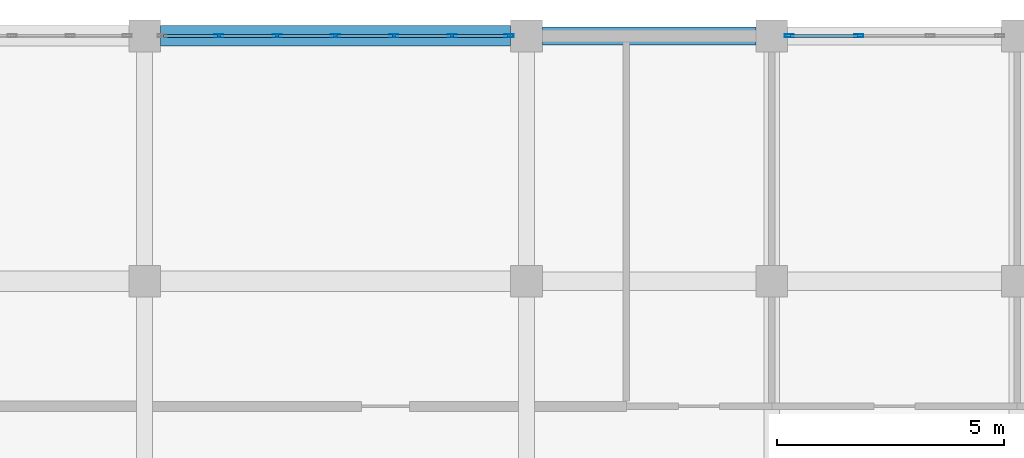
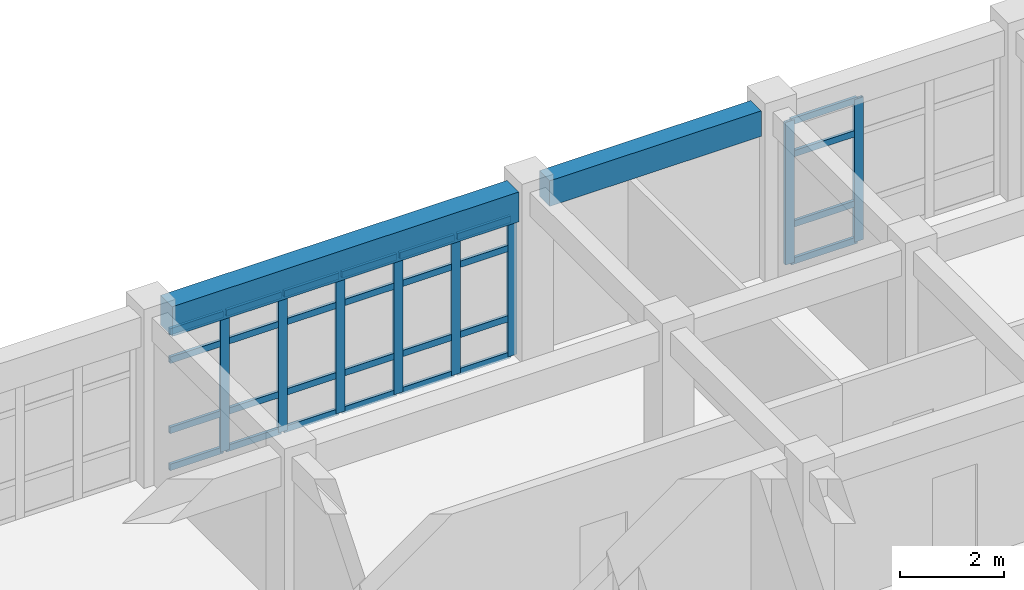
# One storey, part 14 of 22: 36 members, 2 beams, 2 elements without a shape of their own.
"""IFC4 building model written with IfcOpenShell, lengths in metres."""

from ifc_helpers import new_model, si_unit, direction, frame, origin, origin_2d, place, context, subcontext, project, spatial, rectangle, hollow_rectangle, extrude, material, layer, layer_set, material_profile, profile_set, type_object, element, aggregate, save


model = new_model("IFC4")

# Units and contexts
model_context = context("Model", 3, precision=1e-05, world=origin(), true_north=direction((0.0, 1.0)))
body_context = subcontext(model_context, "Body", "Model", "MODEL_VIEW")
ifc_project = project(units=[si_unit("LENGTHUNIT", "METRE"), si_unit("AREAUNIT", "SQUARE_METRE"), si_unit("VOLUMEUNIT", "CUBIC_METRE"), si_unit("PLANEANGLEUNIT", "RADIAN"), si_unit("MASSUNIT", "GRAM", prefix="KILO")], contexts=[model_context])

# Site, building, storey
site_placement = place(None, origin())
site = spatial("IfcSite", under=ifc_project, at=site_placement, CompositionType="ELEMENT")
building_placement = place(site_placement, origin())
building = spatial("IfcBuilding", under=site, at=building_placement, Name="Krzemoval Escarpment Law Courts", CompositionType="ELEMENT")
storey_placement = place(building_placement, frame((0.0, 0.0, 29.39990234375)))
storey = spatial("IfcBuildingStorey", under=building, at=storey_placement, Name="L06", CompositionType="ELEMENT", Elevation=29.39990234375)

# Beams
ifc_material_1 = material(Name="Concrete C40/50", Category="concrete")
ifc_material_profile_1 = material_profile(ifc_material_1, rectangle(XDim=0.39990234375, YDim=0.60009765625, at=origin_2d()), Name="RCB 400x600")
ifc_profile_set_1 = profile_set([ifc_material_profile_1], Name="Concrete C40/50")
beam_type_1 = type_object("IfcBeamType", Name="BM-RC-400x600", PredefinedType="BEAM", material=ifc_profile_set_1)
beam_1_placement = place(storey_placement, frame((151.550048828125, 118.800048828125, 3.650146484375), z_axis=(1.0, 0.0, 0.0), x_axis=(0.0, 1.0, 0.0)))
element("IfcBeam", 1, at=beam_1_placement, inside=storey, type_object=beam_type_1, Name="Beam FG-L06-2657", PredefinedType="BEAM", context=body_context, shape_type="SweptSolid", body=[
    extrude(rectangle(XDim=0.39990234375, YDim=0.60009765625, at=origin_2d()), origin(), (0.0, 0.0, 1.0), 4.699951171875),
])
ifc_material_2 = material(Name="Concrete C40/50", Category="concrete")
ifc_material_profile_2 = material_profile(ifc_material_2, rectangle(XDim=0.449951171875, YDim=0.699951171875, at=origin_2d()), Name="RCB 450x700")
ifc_profile_set_2 = profile_set([ifc_material_profile_2], Name="Concrete C40/50")
beam_type_2 = type_object("IfcBeamType", Name="BM-RC-450x700", PredefinedType="BEAM", material=ifc_profile_set_2)
beam_2_placement = place(storey_placement, frame((143.14990234375, 118.800048828125, 3.60009765625), z_axis=(1.0, 0.0, 0.0), x_axis=(0.0, 1.0, 0.0)))
element("IfcBeam", 2, at=beam_2_placement, inside=storey, type_object=beam_type_2, Name="Beam FG-L06-2656", PredefinedType="BEAM", context=body_context, shape_type="SweptSolid", body=[
    extrude(rectangle(XDim=0.449951171875, YDim=0.699951171875, at=origin_2d()), origin(), (0.0, 0.0, 1.0), 7.7001953125),
])

# Curtain wall, members
ifc_material_3 = material(Name="Aluminium 6063-T6", Category="aluminium")
ifc_layer = layer(ifc_material_3, 0.219970703125)
ifc_layer_set = layer_set([ifc_layer], Name="Aluminium 6063-T6")
curtain_wall_type = type_object("IfcCurtainWallType", Name="CW-CHMB-4200", PredefinedType="USERDEFINED", material=ifc_layer_set)
curtain_wall_1_placement = place(storey_placement, origin())
curtain_wall_1 = element("IfcCurtainWall", 3, at=curtain_wall_1_placement, inside=storey, type_object=curtain_wall_type, Name="Unitised Curtain Wall FCW-L06-150", ObjectType="UNITISED_CURTAIN_WALL", PredefinedType="USERDEFINED")
ifc_material_4 = material(Name="Aluminium 6063-T6", Category="aluminium")
ifc_material_profile_3 = material_profile(ifc_material_4, hollow_rectangle(XDim=0.06494140625, YDim=0.199951171875, WallThickness=0.00439453125, at=origin_2d()), Name="ALU M65x200")
ifc_profile_set_3 = profile_set([ifc_material_profile_3], Name="Aluminium 6063-T6")
member_type_1 = type_object("IfcMemberType", Name="CWM-65x200", PredefinedType="MULLION", material=ifc_profile_set_3)
member_1_placement = place(storey_placement, frame((144.433349609375, 118.800048828125, 0.0), z_axis=(0.0, 0.0, 1.0), x_axis=(0.0, 1.0, 0.0)))
member_1 = element("IfcMember", 4, at=member_1_placement, type_object=member_type_1, Name="FCW-L06-150 mullion 2", PredefinedType="MULLION", context=body_context, shape_type="SweptSolid", body=[
    extrude(hollow_rectangle(XDim=0.06494140625, YDim=0.199951171875, WallThickness=0.00439453125, at=origin_2d()), origin(), (0.0, 0.0, 1.0), 3.25),
])
member_2_placement = place(storey_placement, frame((145.716552734375, 118.800048828125, 0.0), z_axis=(0.0, 0.0, 1.0), x_axis=(0.0, 1.0, 0.0)))
member_2 = element("IfcMember", 5, at=member_2_placement, type_object=member_type_1, Name="FCW-L06-150 mullion 3", PredefinedType="MULLION", context=body_context, shape_type="SweptSolid", body=[
    extrude(hollow_rectangle(XDim=0.06494140625, YDim=0.199951171875, WallThickness=0.00439453125, at=origin_2d()), origin(), (0.0, 0.0, 1.0), 3.25),
])
member_3_placement = place(storey_placement, frame((147.0, 118.800048828125, 0.0), z_axis=(0.0, 0.0, 1.0), x_axis=(0.0, 1.0, 0.0)))
member_3 = element("IfcMember", 6, at=member_3_placement, type_object=member_type_1, Name="FCW-L06-150 mullion 4", PredefinedType="MULLION", context=body_context, shape_type="SweptSolid", body=[
    extrude(hollow_rectangle(XDim=0.06494140625, YDim=0.199951171875, WallThickness=0.00439453125, at=origin_2d()), origin(), (0.0, 0.0, 1.0), 3.25),
])
member_4_placement = place(storey_placement, frame((148.283447265625, 118.800048828125, 0.0), z_axis=(0.0, 0.0, 1.0), x_axis=(0.0, 1.0, 0.0)))
member_4 = element("IfcMember", 7, at=member_4_placement, type_object=member_type_1, Name="FCW-L06-150 mullion 5", PredefinedType="MULLION", context=body_context, shape_type="SweptSolid", body=[
    extrude(hollow_rectangle(XDim=0.06494140625, YDim=0.199951171875, WallThickness=0.00439453125, at=origin_2d()), origin(), (0.0, 0.0, 1.0), 3.25),
])
member_5_placement = place(storey_placement, frame((149.566650390625, 118.800048828125, 0.0), z_axis=(0.0, 0.0, 1.0), x_axis=(0.0, 1.0, 0.0)))
member_5 = element("IfcMember", 8, at=member_5_placement, type_object=member_type_1, Name="FCW-L06-150 mullion 6", PredefinedType="MULLION", context=body_context, shape_type="SweptSolid", body=[
    extrude(hollow_rectangle(XDim=0.06494140625, YDim=0.199951171875, WallThickness=0.00439453125, at=origin_2d()), origin(), (0.0, 0.0, 1.0), 3.25),
])
member_6_placement = place(storey_placement, frame((150.8173828125, 118.800048828125, 0.0), z_axis=(0.0, 0.0, 1.0), x_axis=(0.0, 1.0, 0.0)))
member_6 = element("IfcMember", 9, at=member_6_placement, type_object=member_type_1, Name="FCW-L06-150 mullion 7", PredefinedType="MULLION", context=body_context, shape_type="SweptSolid", body=[
    extrude(hollow_rectangle(XDim=0.06494140625, YDim=0.199951171875, WallThickness=0.00439453125, at=origin_2d()), origin(), (0.0, 0.0, 1.0), 3.25),
])

curtain_wall_2_placement = place(storey_placement, origin())
curtain_wall_2 = element("IfcCurtainWall", 10, at=curtain_wall_2_placement, inside=storey, type_object=curtain_wall_type, Name="Unitised Curtain Wall FCW-L06-151", ObjectType="UNITISED_CURTAIN_WALL", PredefinedType="USERDEFINED")
member_7_placement = place(storey_placement, frame((156.982421875, 118.800048828125, 0.0), z_axis=(0.0, 0.0, 1.0), x_axis=(0.0, 1.0, 0.0)))
member_7 = element("IfcMember", 11, at=member_7_placement, type_object=member_type_1, Name="FCW-L06-151 mullion 1", PredefinedType="MULLION", context=body_context, shape_type="SweptSolid", body=[
    extrude(hollow_rectangle(XDim=0.06494140625, YDim=0.199951171875, WallThickness=0.00439453125, at=origin_2d()), origin(), (0.0, 0.0, 1.0), 3.35009765625),
])
member_8_placement = place(storey_placement, frame((158.5166015625, 118.800048828125, 0.0), z_axis=(0.0, 0.0, 1.0), x_axis=(0.0, 1.0, 0.0)))
member_8 = element("IfcMember", 12, at=member_8_placement, type_object=member_type_1, Name="FCW-L06-151 mullion 2", PredefinedType="MULLION", context=body_context, shape_type="SweptSolid", body=[
    extrude(hollow_rectangle(XDim=0.06494140625, YDim=0.199951171875, WallThickness=0.00439453125, at=origin_2d()), origin(), (0.0, 0.0, 1.0), 3.35009765625),
])

# Member
ifc_material_5 = material(Name="Aluminium 6063-T6", Category="aluminium")
ifc_material_profile_4 = material_profile(ifc_material_5, hollow_rectangle(XDim=0.06494140625, YDim=0.14990234375, WallThickness=0.00439453125, at=origin_2d()), Name="ALU T65x150")
ifc_profile_set_4 = profile_set([ifc_material_profile_4], Name="Aluminium 6063-T6")
member_type_2 = type_object("IfcMemberType", Name="CWT-65x150", PredefinedType="USERDEFINED", material=ifc_profile_set_4)
member_9_placement = place(storey_placement, frame((143.215087890625, 118.800048828125, 0.03271484375), z_axis=(1.0, 0.0, 0.0), x_axis=(0.0, 1.0, 0.0)))
member_9 = element("IfcMember", 13, at=member_9_placement, type_object=member_type_2, Name="FCW-L06-150 transom 1.1", ObjectType="TRANSOM", PredefinedType="USERDEFINED", context=body_context, shape_type="SweptSolid", body=[
    extrude(hollow_rectangle(XDim=0.06494140625, YDim=0.14990234375, WallThickness=0.00439453125, at=origin_2d()), origin(), (0.0, 0.0, 1.0), 1.185791015625),
])

member_10_placement = place(storey_placement, frame((143.215087890625, 118.800048828125, 0.900146484375), z_axis=(1.0, 0.0, 0.0), x_axis=(0.0, 1.0, 0.0)))
member_10 = element("IfcMember", 14, at=member_10_placement, type_object=member_type_2, Name="FCW-L06-150 transom 1.2", ObjectType="TRANSOM", PredefinedType="USERDEFINED", context=body_context, shape_type="SweptSolid", body=[
    extrude(hollow_rectangle(XDim=0.06494140625, YDim=0.14990234375, WallThickness=0.00439453125, at=origin_2d()), origin(), (0.0, 0.0, 1.0), 1.185791015625),
])

member_11_placement = place(storey_placement, frame((143.215087890625, 118.800048828125, 2.550048828125), z_axis=(1.0, 0.0, 0.0), x_axis=(0.0, 1.0, 0.0)))
member_11 = element("IfcMember", 15, at=member_11_placement, type_object=member_type_2, Name="FCW-L06-150 transom 1.3", ObjectType="TRANSOM", PredefinedType="USERDEFINED", context=body_context, shape_type="SweptSolid", body=[
    extrude(hollow_rectangle(XDim=0.06494140625, YDim=0.14990234375, WallThickness=0.00439453125, at=origin_2d()), origin(), (0.0, 0.0, 1.0), 1.185791015625),
])

member_12_placement = place(storey_placement, frame((143.215087890625, 118.800048828125, 3.217529296875), z_axis=(1.0, 0.0, 0.0), x_axis=(0.0, 1.0, 0.0)))
member_12 = element("IfcMember", 16, at=member_12_placement, type_object=member_type_2, Name="FCW-L06-150 transom 1.4", ObjectType="TRANSOM", PredefinedType="USERDEFINED", context=body_context, shape_type="SweptSolid", body=[
    extrude(hollow_rectangle(XDim=0.06494140625, YDim=0.14990234375, WallThickness=0.00439453125, at=origin_2d()), origin(), (0.0, 0.0, 1.0), 1.185791015625),
])

member_13_placement = place(storey_placement, frame((144.4658203125, 118.800048828125, 0.03271484375), z_axis=(1.0, 0.0, 0.0), x_axis=(0.0, 1.0, 0.0)))
member_13 = element("IfcMember", 17, at=member_13_placement, type_object=member_type_2, Name="FCW-L06-150 transom 2.1", ObjectType="TRANSOM", PredefinedType="USERDEFINED", context=body_context, shape_type="SweptSolid", body=[
    extrude(hollow_rectangle(XDim=0.06494140625, YDim=0.14990234375, WallThickness=0.00439453125, at=origin_2d()), origin(), (0.0, 0.0, 1.0), 1.21826171875),
])

member_14_placement = place(storey_placement, frame((144.4658203125, 118.800048828125, 0.900146484375), z_axis=(1.0, 0.0, 0.0), x_axis=(0.0, 1.0, 0.0)))
member_14 = element("IfcMember", 18, at=member_14_placement, type_object=member_type_2, Name="FCW-L06-150 transom 2.2", ObjectType="TRANSOM", PredefinedType="USERDEFINED", context=body_context, shape_type="SweptSolid", body=[
    extrude(hollow_rectangle(XDim=0.06494140625, YDim=0.14990234375, WallThickness=0.00439453125, at=origin_2d()), origin(), (0.0, 0.0, 1.0), 1.21826171875),
])

member_15_placement = place(storey_placement, frame((144.4658203125, 118.800048828125, 2.550048828125), z_axis=(1.0, 0.0, 0.0), x_axis=(0.0, 1.0, 0.0)))
member_15 = element("IfcMember", 19, at=member_15_placement, type_object=member_type_2, Name="FCW-L06-150 transom 2.3", ObjectType="TRANSOM", PredefinedType="USERDEFINED", context=body_context, shape_type="SweptSolid", body=[
    extrude(hollow_rectangle(XDim=0.06494140625, YDim=0.14990234375, WallThickness=0.00439453125, at=origin_2d()), origin(), (0.0, 0.0, 1.0), 1.21826171875),
])

member_16_placement = place(storey_placement, frame((144.4658203125, 118.800048828125, 3.217529296875), z_axis=(1.0, 0.0, 0.0), x_axis=(0.0, 1.0, 0.0)))
member_16 = element("IfcMember", 20, at=member_16_placement, type_object=member_type_2, Name="FCW-L06-150 transom 2.4", ObjectType="TRANSOM", PredefinedType="USERDEFINED", context=body_context, shape_type="SweptSolid", body=[
    extrude(hollow_rectangle(XDim=0.06494140625, YDim=0.14990234375, WallThickness=0.00439453125, at=origin_2d()), origin(), (0.0, 0.0, 1.0), 1.21826171875),
])

member_17_placement = place(storey_placement, frame((145.749267578125, 118.800048828125, 0.03271484375), z_axis=(1.0, 0.0, 0.0), x_axis=(0.0, 1.0, 0.0)))
member_17 = element("IfcMember", 21, at=member_17_placement, type_object=member_type_2, Name="FCW-L06-150 transom 3.1", ObjectType="TRANSOM", PredefinedType="USERDEFINED", context=body_context, shape_type="SweptSolid", body=[
    extrude(hollow_rectangle(XDim=0.06494140625, YDim=0.14990234375, WallThickness=0.00439453125, at=origin_2d()), origin(), (0.0, 0.0, 1.0), 1.21826171875),
])

member_18_placement = place(storey_placement, frame((145.749267578125, 118.800048828125, 0.900146484375), z_axis=(1.0, 0.0, 0.0), x_axis=(0.0, 1.0, 0.0)))
member_18 = element("IfcMember", 22, at=member_18_placement, type_object=member_type_2, Name="FCW-L06-150 transom 3.2", ObjectType="TRANSOM", PredefinedType="USERDEFINED", context=body_context, shape_type="SweptSolid", body=[
    extrude(hollow_rectangle(XDim=0.06494140625, YDim=0.14990234375, WallThickness=0.00439453125, at=origin_2d()), origin(), (0.0, 0.0, 1.0), 1.21826171875),
])

member_19_placement = place(storey_placement, frame((145.749267578125, 118.800048828125, 2.550048828125), z_axis=(1.0, 0.0, 0.0), x_axis=(0.0, 1.0, 0.0)))
member_19 = element("IfcMember", 23, at=member_19_placement, type_object=member_type_2, Name="FCW-L06-150 transom 3.3", ObjectType="TRANSOM", PredefinedType="USERDEFINED", context=body_context, shape_type="SweptSolid", body=[
    extrude(hollow_rectangle(XDim=0.06494140625, YDim=0.14990234375, WallThickness=0.00439453125, at=origin_2d()), origin(), (0.0, 0.0, 1.0), 1.21826171875),
])

member_20_placement = place(storey_placement, frame((145.749267578125, 118.800048828125, 3.217529296875), z_axis=(1.0, 0.0, 0.0), x_axis=(0.0, 1.0, 0.0)))
member_20 = element("IfcMember", 24, at=member_20_placement, type_object=member_type_2, Name="FCW-L06-150 transom 3.4", ObjectType="TRANSOM", PredefinedType="USERDEFINED", context=body_context, shape_type="SweptSolid", body=[
    extrude(hollow_rectangle(XDim=0.06494140625, YDim=0.14990234375, WallThickness=0.00439453125, at=origin_2d()), origin(), (0.0, 0.0, 1.0), 1.21826171875),
])

member_21_placement = place(storey_placement, frame((147.032470703125, 118.800048828125, 0.03271484375), z_axis=(1.0, 0.0, 0.0), x_axis=(0.0, 1.0, 0.0)))
member_21 = element("IfcMember", 25, at=member_21_placement, type_object=member_type_2, Name="FCW-L06-150 transom 4.1", ObjectType="TRANSOM", PredefinedType="USERDEFINED", context=body_context, shape_type="SweptSolid", body=[
    extrude(hollow_rectangle(XDim=0.06494140625, YDim=0.14990234375, WallThickness=0.00439453125, at=origin_2d()), origin(), (0.0, 0.0, 1.0), 1.21826171875),
])

member_22_placement = place(storey_placement, frame((147.032470703125, 118.800048828125, 0.900146484375), z_axis=(1.0, 0.0, 0.0), x_axis=(0.0, 1.0, 0.0)))
member_22 = element("IfcMember", 26, at=member_22_placement, type_object=member_type_2, Name="FCW-L06-150 transom 4.2", ObjectType="TRANSOM", PredefinedType="USERDEFINED", context=body_context, shape_type="SweptSolid", body=[
    extrude(hollow_rectangle(XDim=0.06494140625, YDim=0.14990234375, WallThickness=0.00439453125, at=origin_2d()), origin(), (0.0, 0.0, 1.0), 1.21826171875),
])

member_23_placement = place(storey_placement, frame((147.032470703125, 118.800048828125, 2.550048828125), z_axis=(1.0, 0.0, 0.0), x_axis=(0.0, 1.0, 0.0)))
member_23 = element("IfcMember", 27, at=member_23_placement, type_object=member_type_2, Name="FCW-L06-150 transom 4.3", ObjectType="TRANSOM", PredefinedType="USERDEFINED", context=body_context, shape_type="SweptSolid", body=[
    extrude(hollow_rectangle(XDim=0.06494140625, YDim=0.14990234375, WallThickness=0.00439453125, at=origin_2d()), origin(), (0.0, 0.0, 1.0), 1.21826171875),
])

member_24_placement = place(storey_placement, frame((147.032470703125, 118.800048828125, 3.217529296875), z_axis=(1.0, 0.0, 0.0), x_axis=(0.0, 1.0, 0.0)))
member_24 = element("IfcMember", 28, at=member_24_placement, type_object=member_type_2, Name="FCW-L06-150 transom 4.4", ObjectType="TRANSOM", PredefinedType="USERDEFINED", context=body_context, shape_type="SweptSolid", body=[
    extrude(hollow_rectangle(XDim=0.06494140625, YDim=0.14990234375, WallThickness=0.00439453125, at=origin_2d()), origin(), (0.0, 0.0, 1.0), 1.21826171875),
])

member_25_placement = place(storey_placement, frame((148.31591796875, 118.800048828125, 0.03271484375), z_axis=(1.0, 0.0, 0.0), x_axis=(0.0, 1.0, 0.0)))
member_25 = element("IfcMember", 29, at=member_25_placement, type_object=member_type_2, Name="FCW-L06-150 transom 5.1", ObjectType="TRANSOM", PredefinedType="USERDEFINED", context=body_context, shape_type="SweptSolid", body=[
    extrude(hollow_rectangle(XDim=0.06494140625, YDim=0.14990234375, WallThickness=0.00439453125, at=origin_2d()), origin(), (0.0, 0.0, 1.0), 1.21826171875),
])

member_26_placement = place(storey_placement, frame((148.31591796875, 118.800048828125, 0.900146484375), z_axis=(1.0, 0.0, 0.0), x_axis=(0.0, 1.0, 0.0)))
member_26 = element("IfcMember", 30, at=member_26_placement, type_object=member_type_2, Name="FCW-L06-150 transom 5.2", ObjectType="TRANSOM", PredefinedType="USERDEFINED", context=body_context, shape_type="SweptSolid", body=[
    extrude(hollow_rectangle(XDim=0.06494140625, YDim=0.14990234375, WallThickness=0.00439453125, at=origin_2d()), origin(), (0.0, 0.0, 1.0), 1.21826171875),
])

member_27_placement = place(storey_placement, frame((148.31591796875, 118.800048828125, 2.550048828125), z_axis=(1.0, 0.0, 0.0), x_axis=(0.0, 1.0, 0.0)))
member_27 = element("IfcMember", 31, at=member_27_placement, type_object=member_type_2, Name="FCW-L06-150 transom 5.3", ObjectType="TRANSOM", PredefinedType="USERDEFINED", context=body_context, shape_type="SweptSolid", body=[
    extrude(hollow_rectangle(XDim=0.06494140625, YDim=0.14990234375, WallThickness=0.00439453125, at=origin_2d()), origin(), (0.0, 0.0, 1.0), 1.21826171875),
])

member_28_placement = place(storey_placement, frame((148.31591796875, 118.800048828125, 3.217529296875), z_axis=(1.0, 0.0, 0.0), x_axis=(0.0, 1.0, 0.0)))
member_28 = element("IfcMember", 32, at=member_28_placement, type_object=member_type_2, Name="FCW-L06-150 transom 5.4", ObjectType="TRANSOM", PredefinedType="USERDEFINED", context=body_context, shape_type="SweptSolid", body=[
    extrude(hollow_rectangle(XDim=0.06494140625, YDim=0.14990234375, WallThickness=0.00439453125, at=origin_2d()), origin(), (0.0, 0.0, 1.0), 1.21826171875),
])

member_29_placement = place(storey_placement, frame((149.59912109375, 118.800048828125, 0.03271484375), z_axis=(1.0, 0.0, 0.0), x_axis=(0.0, 1.0, 0.0)))
member_29 = element("IfcMember", 33, at=member_29_placement, type_object=member_type_2, Name="FCW-L06-150 transom 6.1", ObjectType="TRANSOM", PredefinedType="USERDEFINED", context=body_context, shape_type="SweptSolid", body=[
    extrude(hollow_rectangle(XDim=0.06494140625, YDim=0.14990234375, WallThickness=0.00439453125, at=origin_2d()), origin(), (0.0, 0.0, 1.0), 1.185791015625),
])

member_30_placement = place(storey_placement, frame((149.59912109375, 118.800048828125, 0.900146484375), z_axis=(1.0, 0.0, 0.0), x_axis=(0.0, 1.0, 0.0)))
member_30 = element("IfcMember", 34, at=member_30_placement, type_object=member_type_2, Name="FCW-L06-150 transom 6.2", ObjectType="TRANSOM", PredefinedType="USERDEFINED", context=body_context, shape_type="SweptSolid", body=[
    extrude(hollow_rectangle(XDim=0.06494140625, YDim=0.14990234375, WallThickness=0.00439453125, at=origin_2d()), origin(), (0.0, 0.0, 1.0), 1.185791015625),
])

member_31_placement = place(storey_placement, frame((149.59912109375, 118.800048828125, 2.550048828125), z_axis=(1.0, 0.0, 0.0), x_axis=(0.0, 1.0, 0.0)))
member_31 = element("IfcMember", 35, at=member_31_placement, type_object=member_type_2, Name="FCW-L06-150 transom 6.3", ObjectType="TRANSOM", PredefinedType="USERDEFINED", context=body_context, shape_type="SweptSolid", body=[
    extrude(hollow_rectangle(XDim=0.06494140625, YDim=0.14990234375, WallThickness=0.00439453125, at=origin_2d()), origin(), (0.0, 0.0, 1.0), 1.185791015625),
])

member_32_placement = place(storey_placement, frame((149.59912109375, 118.800048828125, 3.217529296875), z_axis=(1.0, 0.0, 0.0), x_axis=(0.0, 1.0, 0.0)))
member_32 = element("IfcMember", 36, at=member_32_placement, type_object=member_type_2, Name="FCW-L06-150 transom 6.4", ObjectType="TRANSOM", PredefinedType="USERDEFINED", context=body_context, shape_type="SweptSolid", body=[
    extrude(hollow_rectangle(XDim=0.06494140625, YDim=0.14990234375, WallThickness=0.00439453125, at=origin_2d()), origin(), (0.0, 0.0, 1.0), 1.185791015625),
])

aggregate(curtain_wall_1, [member_1, member_2, member_3, member_4, member_5, member_6, member_9, member_10, member_11, member_12, member_13, member_14, member_15, member_16, member_17, member_18, member_19, member_20, member_21, member_22, member_23, member_24, member_25, member_26, member_27, member_28, member_29, member_30, member_31, member_32])

member_33_placement = place(storey_placement, frame((157.014892578125, 118.800048828125, 0.03271484375), z_axis=(1.0, 0.0, 0.0), x_axis=(0.0, 1.0, 0.0)))
member_33 = element("IfcMember", 37, at=member_33_placement, type_object=member_type_2, Name="FCW-L06-151 transom 1.1", ObjectType="TRANSOM", PredefinedType="USERDEFINED", context=body_context, shape_type="SweptSolid", body=[
    extrude(hollow_rectangle(XDim=0.06494140625, YDim=0.14990234375, WallThickness=0.00439453125, at=origin_2d()), origin(), (0.0, 0.0, 1.0), 1.46923828125),
])

member_34_placement = place(storey_placement, frame((157.014892578125, 118.800048828125, 0.900146484375), z_axis=(1.0, 0.0, 0.0), x_axis=(0.0, 1.0, 0.0)))
member_34 = element("IfcMember", 38, at=member_34_placement, type_object=member_type_2, Name="FCW-L06-151 transom 1.2", ObjectType="TRANSOM", PredefinedType="USERDEFINED", context=body_context, shape_type="SweptSolid", body=[
    extrude(hollow_rectangle(XDim=0.06494140625, YDim=0.14990234375, WallThickness=0.00439453125, at=origin_2d()), origin(), (0.0, 0.0, 1.0), 1.46923828125),
])

member_35_placement = place(storey_placement, frame((157.014892578125, 118.800048828125, 2.550048828125), z_axis=(1.0, 0.0, 0.0), x_axis=(0.0, 1.0, 0.0)))
member_35 = element("IfcMember", 39, at=member_35_placement, type_object=member_type_2, Name="FCW-L06-151 transom 1.3", ObjectType="TRANSOM", PredefinedType="USERDEFINED", context=body_context, shape_type="SweptSolid", body=[
    extrude(hollow_rectangle(XDim=0.06494140625, YDim=0.14990234375, WallThickness=0.00439453125, at=origin_2d()), origin(), (0.0, 0.0, 1.0), 1.46923828125),
])

member_36_placement = place(storey_placement, frame((157.014892578125, 118.800048828125, 3.317626953125), z_axis=(1.0, 0.0, 0.0), x_axis=(0.0, 1.0, 0.0)))
member_36 = element("IfcMember", 40, at=member_36_placement, type_object=member_type_2, Name="FCW-L06-151 transom 1.4", ObjectType="TRANSOM", PredefinedType="USERDEFINED", context=body_context, shape_type="SweptSolid", body=[
    extrude(hollow_rectangle(XDim=0.06494140625, YDim=0.14990234375, WallThickness=0.00439453125, at=origin_2d()), origin(), (0.0, 0.0, 1.0), 1.46923828125),
])

aggregate(curtain_wall_2, [member_7, member_8, member_33, member_34, member_35, member_36])

save(model, "model.ifc")
